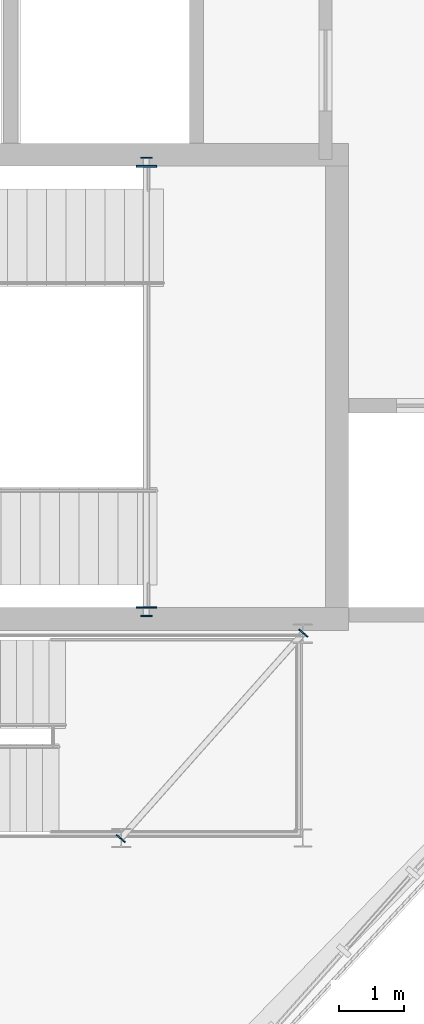
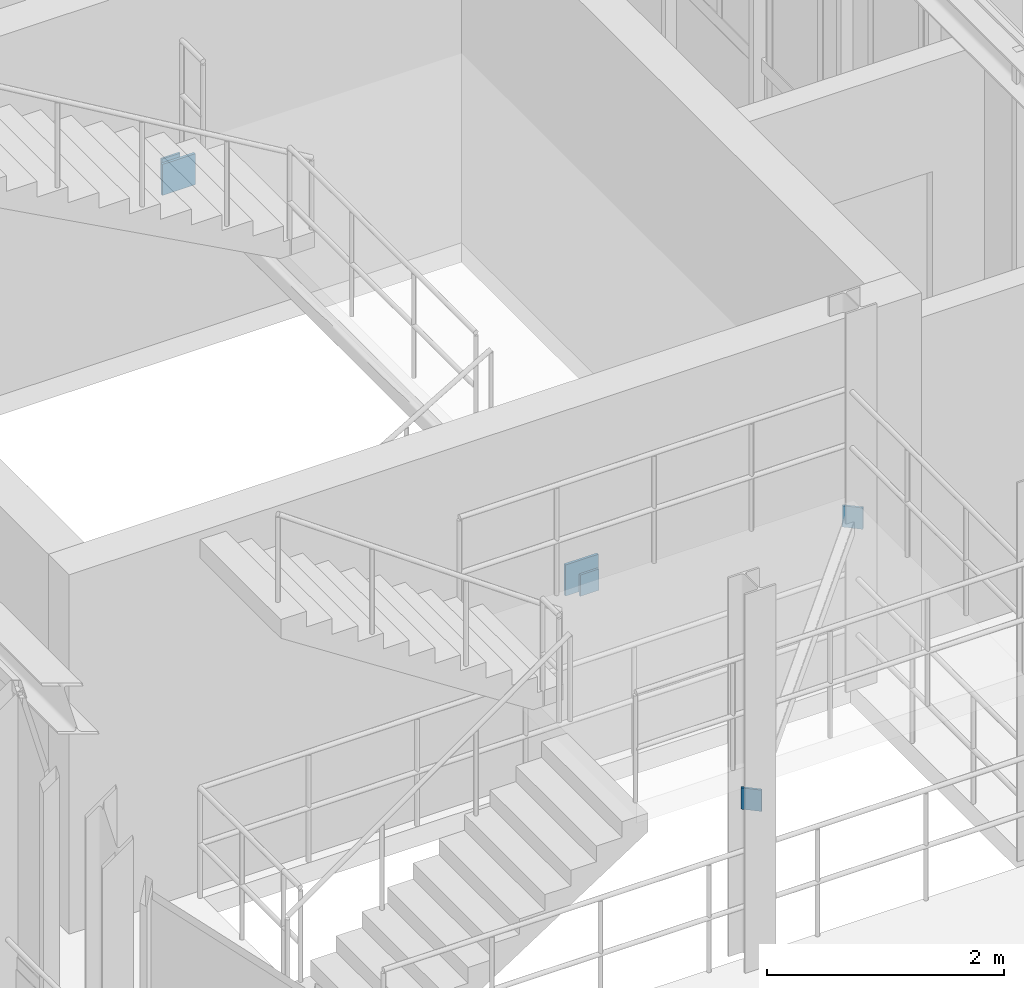
# One storey, part 13 of 25: 6 plates.
"""IFC4 building model written with IfcOpenShell, lengths in metres."""

from ifc_helpers import new_model, si_unit, direction, frame, origin, origin_2d, place, context, subcontext, project, spatial, rectangle, extrude, material, layer, layer_set, type_object, element, save


model = new_model("IFC4")

# Units and contexts
model_context = context("Model", 3, precision=1e-05, world=origin(), true_north=direction((0.0, 1.0)))
body_context = subcontext(model_context, "Body", "Model", "MODEL_VIEW")
ifc_project = project(units=[si_unit("LENGTHUNIT", "METRE"), si_unit("AREAUNIT", "SQUARE_METRE"), si_unit("VOLUMEUNIT", "CUBIC_METRE"), si_unit("PLANEANGLEUNIT", "RADIAN"), si_unit("MASSUNIT", "GRAM", prefix="KILO"), si_unit("THERMODYNAMICTEMPERATUREUNIT", "KELVIN"), si_unit("POWERUNIT", "WATT")], contexts=[model_context])

# Site, building, storey
site_placement = place(None, origin())
site = spatial("IfcSite", under=ifc_project, at=site_placement, CompositionType="ELEMENT")
building_placement = place(site_placement, origin())
building = spatial("IfcBuilding", under=site, at=building_placement, Name="Solvatero Civic Police Headquarters", CompositionType="ELEMENT")
storey_placement = place(building_placement, frame((0.0, 0.0, 25.5)))
storey = spatial("IfcBuildingStorey", under=building, at=storey_placement, Name="L06", CompositionType="ELEMENT", Elevation=25.5)

# Plates
ifc_material = material(Name="Steel S355", Category="steel")
ifc_layer_1 = layer(ifc_material, 0.02001953125)
ifc_layer_set_1 = layer_set([ifc_layer_1], Name="Steel S355")
plate_type_1 = type_object("IfcPlateType", Name="PLT-CAP-20", PredefinedType="SHEET", material=ifc_layer_set_1)
for number, where, z_axis, x_axis, name in (
    (1, (43.0400390625, 15.8701171875, 1.56494140625), (0.0, 0.0, 1.0), (1.0, 0.0, 0.0), "Hollow Section Cap Plate 0017"),
    (2, (43.0400390625, 22.929931640625, 1.56494140625), (0.0, 0.0, 1.0), (1.0, 0.0, 0.0), "Hollow Section Cap Plate 0018"),
):
    element("IfcPlate", number, at=place(storey_placement, frame(where, z_axis=z_axis, x_axis=x_axis)), inside=storey, type_object=plate_type_1, Name=name, PredefinedType="SHEET", context=body_context, shape_type="SweptSolid", body=[
        extrude(rectangle(XDim=0.179931640625, YDim=0.02001953125, at=origin_2d()), origin(), (0.0, 0.0, 1.0), 0.219970703125),
    ])
for number, where, z_axis, x_axis, name in (
    (3, (42.643310546875, 12.4423828125, 1.5498046875), (0.0, 0.0, 1.0), (0.664369848049, 0.747403977112, 0.0), "Hollow Section Cap Plate 0089"),
    (4, (45.45654296875, 15.607421875, 1.5498046875), (0.0, 0.0, 1.0), (0.664369848049, 0.747403977112, 0.0), "Hollow Section Cap Plate 0090"),
):
    element("IfcPlate", number, at=place(storey_placement, frame(where, z_axis=z_axis, x_axis=x_axis)), inside=storey, type_object=plate_type_1, Name=name, PredefinedType="SHEET", context=body_context, shape_type="SweptSolid", body=[
        extrude(rectangle(XDim=0.02001953125, YDim=0.179931640625, at=origin_2d()), origin(), (0.0, 0.0, 1.0), 0.219970703125),
    ])
ifc_layer_2 = layer(ifc_material, 0.02490234375)
ifc_layer_set_2 = layer_set([ifc_layer_2], Name="Steel S355")
plate_type_2 = type_object("IfcPlateType", Name="PLT-EMB-25", PredefinedType="SHEET", material=ifc_layer_set_2)
for number, where, z_axis, x_axis, name in (
    (5, (43.0400390625, 16.0, 1.51513671875), (0.0, 0.0, 1.0), (1.0, 0.0, 0.0), "Cast-In Shear Wall Embed Plate 0017"),
    (6, (43.0400390625, 22.800048828125, 1.51513671875), (0.0, 0.0, 1.0), (1.0, 0.0, 0.0), "Cast-In Shear Wall Embed Plate 0018"),
):
    element("IfcPlate", number, at=place(storey_placement, frame(where, z_axis=z_axis, x_axis=x_axis)), inside=storey, type_object=plate_type_2, Name=name, PredefinedType="SHEET", context=body_context, shape_type="SweptSolid", body=[
        extrude(rectangle(XDim=0.320068359375, YDim=0.02490234375, at=origin_2d()), origin(), (0.0, 0.0, 1.0), 0.320068359375),
    ])

save(model, "model.ifc")
